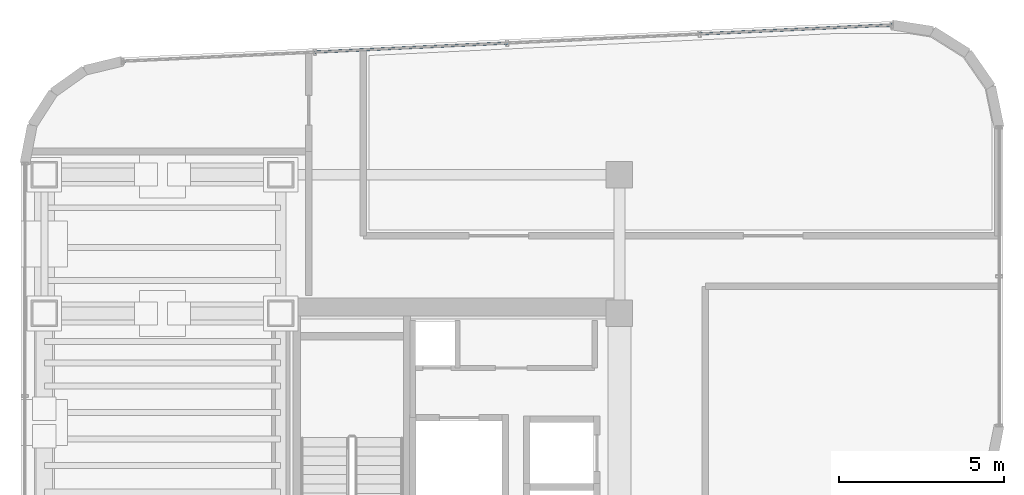
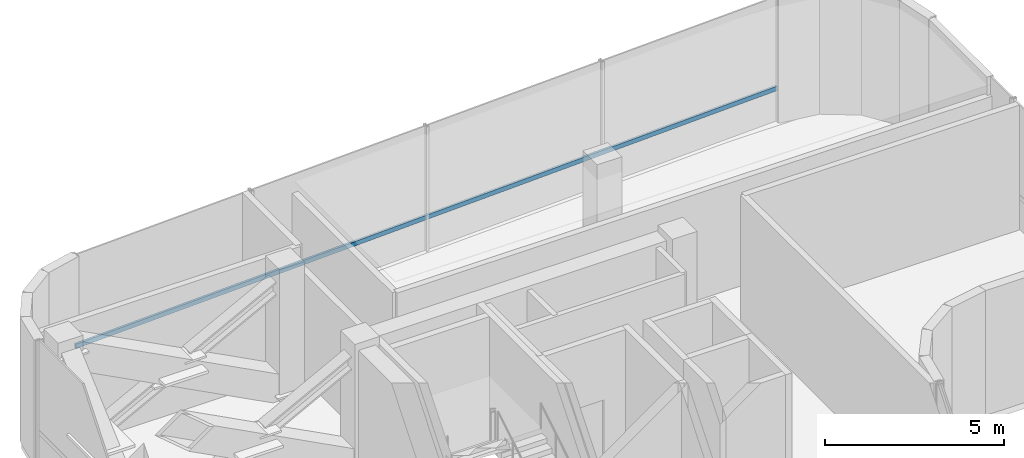
# One storey, part 13 of 19: 1 member, 1 element without a shape of its own.
"""IFC4 building model written with IfcOpenShell, lengths in metres."""

from ifc_helpers import new_model, si_unit, direction, frame, origin, origin_2d, place, context, subcontext, project, spatial, hollow_rectangle, extrude, source, transform, mapped, material, material_profile, profile_set, type_object, element, aggregate, save


model = new_model("IFC4")

# Units and contexts
model_context = context("Model", 3, precision=1e-05, world=origin(), true_north=direction((0.0, 1.0)))
body_context = subcontext(model_context, "Body", "Model", "MODEL_VIEW")
ifc_project = project(units=[si_unit("LENGTHUNIT", "METRE"), si_unit("AREAUNIT", "SQUARE_METRE"), si_unit("VOLUMEUNIT", "CUBIC_METRE"), si_unit("PLANEANGLEUNIT", "RADIAN"), si_unit("MASSUNIT", "GRAM", prefix="KILO")], contexts=[model_context])

# Site, building, storey
site_placement = place(None, origin())
site = spatial("IfcSite", under=ifc_project, at=site_placement, CompositionType="ELEMENT")
building_placement = place(site_placement, origin())
building = spatial("IfcBuilding", under=site, at=building_placement, Name="Valdorenza Pilgrim Sanctuary Tower", CompositionType="ELEMENT")
storey_placement = place(building_placement, frame((0.0, 0.0, 261.5)))
storey = spatial("IfcBuildingStorey", under=building, at=storey_placement, Name="L68", CompositionType="ELEMENT", Elevation=261.5)

# Curtain wall, member
ifc_material_1 = material(Name="Curtain-wall IGU glazing", Category="glass")
curtain_wall_type = type_object("IfcCurtainWallType", Name="CW-SYS-02", PredefinedType="NOTDEFINED", material=ifc_material_1)
curtain_wall_placement = place(storey_placement, origin())
curtain_wall = element("IfcCurtainWall", 1, at=curtain_wall_placement, inside=storey, type_object=curtain_wall_type, Name="L68 Curtain Wall CW-L68-1-6", PredefinedType="NOTDEFINED")
ifc_material_2 = material(Name="Anodised aluminium AW-6060", Category="aluminium")
ifc_material_profile = material_profile(ifc_material_2, hollow_rectangle(XDim=0.074951171875, YDim=0.14990234375, WallThickness=0.00390625, at=origin_2d()), Name="ALU-T 150x75x4")
ifc_profile_set = profile_set([ifc_material_profile], Name="Anodised aluminium AW-6060")
member_type = type_object("IfcMemberType", Name="CW-TRN-02", PredefinedType="USERDEFINED", material=ifc_profile_set)
shared_shape = source(origin(), body_context, "Body", "SweptSolid", [
    extrude(hollow_rectangle(XDim=0.074951171875, YDim=0.14990234375, WallThickness=0.00390625, at=origin_2d()), origin(), (0.0, 0.0, 1.0), 23.30419921875),
])
member_placement = place(storey_placement, frame((-27.43505859375, 18.234375, 1.1201171875), z_axis=(0.998890613053, 0.04709079693, 0.0), x_axis=(-0.04709079693, 0.998890613053, 0.0)))
member = element("IfcMember", 2, at=member_placement, type_object=member_type, Name="CW-L68-1-6 Transom 1", ObjectType="TRANSOM", PredefinedType="USERDEFINED", context=body_context, shape_type="MappedRepresentation", body=[
    mapped(shared_shape, transform((0.0, 0.0, 0.0), x_axis=(1.0, 0.0, 0.0), y_axis=(0.0, 1.0, 0.0), z_axis=(0.0, 0.0, 1.0), scale=1.0)),
])
aggregate(curtain_wall, [member])

save(model, "model.ifc")
